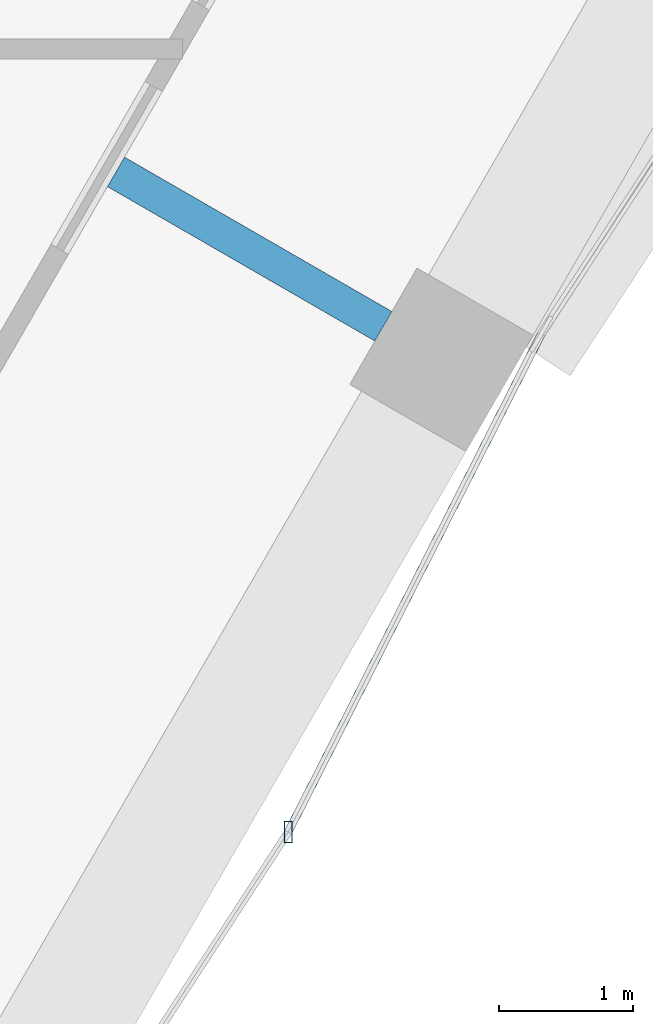
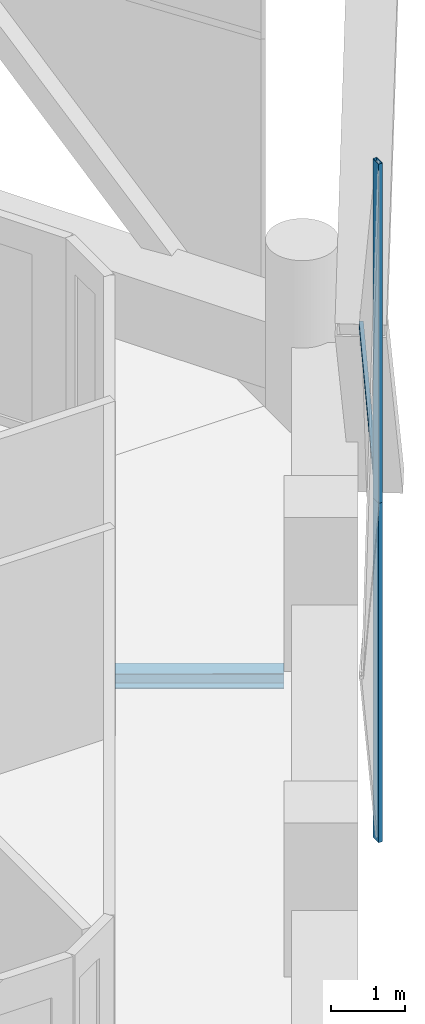
# One storey, part 4 of 13: 3 members, 1 beam, 2 elements without a shape of their own.
"""IFC4 building model written with IfcOpenShell, lengths in metres."""

from ifc_helpers import new_model, si_unit, direction, frame, origin, origin_2d, place, context, subcontext, project, spatial, hollow_rectangle, i_section, extrude, material, material_profile, profile_set, type_object, element, aggregate, save


model = new_model("IFC4")

# Units and contexts
model_context = context("Model", 3, precision=1e-05, world=origin(), true_north=direction((0.0, 1.0)))
body_context = subcontext(model_context, "Body", "Model", "MODEL_VIEW")
ifc_project = project(units=[si_unit("LENGTHUNIT", "METRE"), si_unit("AREAUNIT", "SQUARE_METRE"), si_unit("VOLUMEUNIT", "CUBIC_METRE"), si_unit("PLANEANGLEUNIT", "RADIAN"), si_unit("MASSUNIT", "GRAM", prefix="KILO")], contexts=[model_context])

# Site, building, storey
site_placement = place(None, origin())
site = spatial("IfcSite", under=ifc_project, at=site_placement, CompositionType="ELEMENT")
building_placement = place(site_placement, origin())
building = spatial("IfcBuilding", under=site, at=building_placement, Name="Ostrander Bayou Hotel Tower", CompositionType="ELEMENT")
storey_placement = place(building_placement, frame((0.0, 0.0, 187.0)))
storey = spatial("IfcBuildingStorey", under=building, at=storey_placement, Name="L46", CompositionType="ELEMENT", Elevation=187.0)

# Curtain wall, members
ifc_material_1 = material(Name="Aluminium and clear glass", Category="aluminium")
curtain_wall_type = type_object("IfcCurtainWallType", Name="CW-LAT lattice glazing", PredefinedType="NOTDEFINED", material=ifc_material_1)
curtain_wall_1_placement = place(storey_placement, origin())
curtain_wall_1 = element("IfcCurtainWall", 1, at=curtain_wall_1_placement, inside=storey, type_object=curtain_wall_type, Name="CW-LAT L46 SE 1", PredefinedType="NOTDEFINED")
ifc_material_2 = material(Name="Aluminium", Category="aluminium")
ifc_material_profile_1 = material_profile(ifc_material_2, hollow_rectangle(XDim=0.06005859375, YDim=0.159912109375, WallThickness=0.00390625, at=origin_2d()))
ifc_profile_set_1 = profile_set([ifc_material_profile_1], Name="Aluminium")
member_type_1 = type_object("IfcMemberType", Name="CW-LA mullion 60 x 160 mm", PredefinedType="MULLION", material=ifc_profile_set_1)
member_1_placement = place(storey_placement, frame((16.51513671875, -9.534912109375, -0.60009765625), z_axis=(0.0, 0.0, 1.0), x_axis=(1.0, 0.0, 0.0)))
member_1 = element("IfcMember", 2, at=member_1_placement, type_object=member_type_1, Name="CW-LAT mullion 1", PredefinedType="MULLION", context=body_context, shape_type="SweptSolid", body=[
    extrude(hollow_rectangle(XDim=0.06005859375, YDim=0.159912109375, WallThickness=0.00390625, at=origin_2d()), origin(), (0.0, 0.0, 1.0), 5.625),
])
member_2_placement = place(storey_placement, frame((16.51513671875, -9.534912109375, 5.02490234375), z_axis=(0.0, 0.0, 1.0), x_axis=(1.0, 0.0, 0.0)))
member_2 = element("IfcMember", 3, at=member_2_placement, type_object=member_type_1, Name="CW-LAT mullion 2", PredefinedType="MULLION", context=body_context, shape_type="SweptSolid", body=[
    extrude(hollow_rectangle(XDim=0.06005859375, YDim=0.159912109375, WallThickness=0.00390625, at=origin_2d()), origin(), (0.0, 0.0, 1.0), 5.625),
])
aggregate(curtain_wall_1, [member_1, member_2])

# Curtain wall, member
curtain_wall_2_placement = place(storey_placement, origin())
curtain_wall_2 = element("IfcCurtainWall", 4, at=curtain_wall_2_placement, inside=storey, type_object=curtain_wall_type, Name="CW-LAT L46 SE 2", PredefinedType="NOTDEFINED")
ifc_material_3 = material(Name="Aluminium", Category="aluminium")
ifc_material_profile_2 = material_profile(ifc_material_3, hollow_rectangle(XDim=0.06005859375, YDim=0.1201171875, WallThickness=0.00390625, at=origin_2d()))
ifc_profile_set_2 = profile_set([ifc_material_profile_2], Name="Aluminium")
member_type_2 = type_object("IfcMemberType", Name="CW-LA transom 60 x 120 mm", PredefinedType="USERDEFINED", material=ifc_profile_set_2)
member_3_placement = place(storey_placement, frame((16.51513671875, -9.534912109375, 5.02490234375), z_axis=(0.452953540429, 0.891534121732, 0.0), x_axis=(-0.891534121732, 0.452953540429, 0.0)))
member_3 = element("IfcMember", 5, at=member_3_placement, type_object=member_type_2, Name="CW-LAT transom 4", ObjectType="TRANSOM", PredefinedType="USERDEFINED", context=body_context, shape_type="SweptSolid", body=[
    extrude(hollow_rectangle(XDim=0.06005859375, YDim=0.1201171875, WallThickness=0.00390625, at=origin_2d()), origin(), (0.0, 0.0, 1.0), 4.16162109375),
])
aggregate(curtain_wall_2, [member_3])

# Beam
ifc_material_4 = material(Name="Steel ASTM A992", Category="steel")
ifc_material_profile_3 = material_profile(ifc_material_4, i_section(OverallWidth=0.25390625, OverallDepth=0.25341796875, WebThickness=0.008544921875, FlangeThickness=0.01416015625, at=origin_2d()))
ifc_profile_set_3 = profile_set([ifc_material_profile_3], Name="Steel ASTM A992")
beam_type = type_object("IfcBeamType", Name="LB2 loggia bracket W10x49", PredefinedType="BEAM", material=ifc_profile_set_3)
beam_placement = place(storey_placement, frame((17.224365234375, -5.7666015625, -0.4267578125), z_axis=(-0.866053019151, 0.499952165731, 0.0), x_axis=(-0.499952165731, -0.866053019151, 0.0)))
element("IfcBeam", 6, at=beam_placement, inside=storey, type_object=beam_type, Name="LB2 L46 SE2", PredefinedType="BEAM", context=body_context, shape_type="SweptSolid", body=[
    extrude(i_section(OverallWidth=0.25390625, OverallDepth=0.25341796875, WebThickness=0.008544921875, FlangeThickness=0.01416015625, at=origin_2d()), origin(), (0.0, 0.0, 1.0), 2.300048828125),
])

save(model, "model.ifc")
